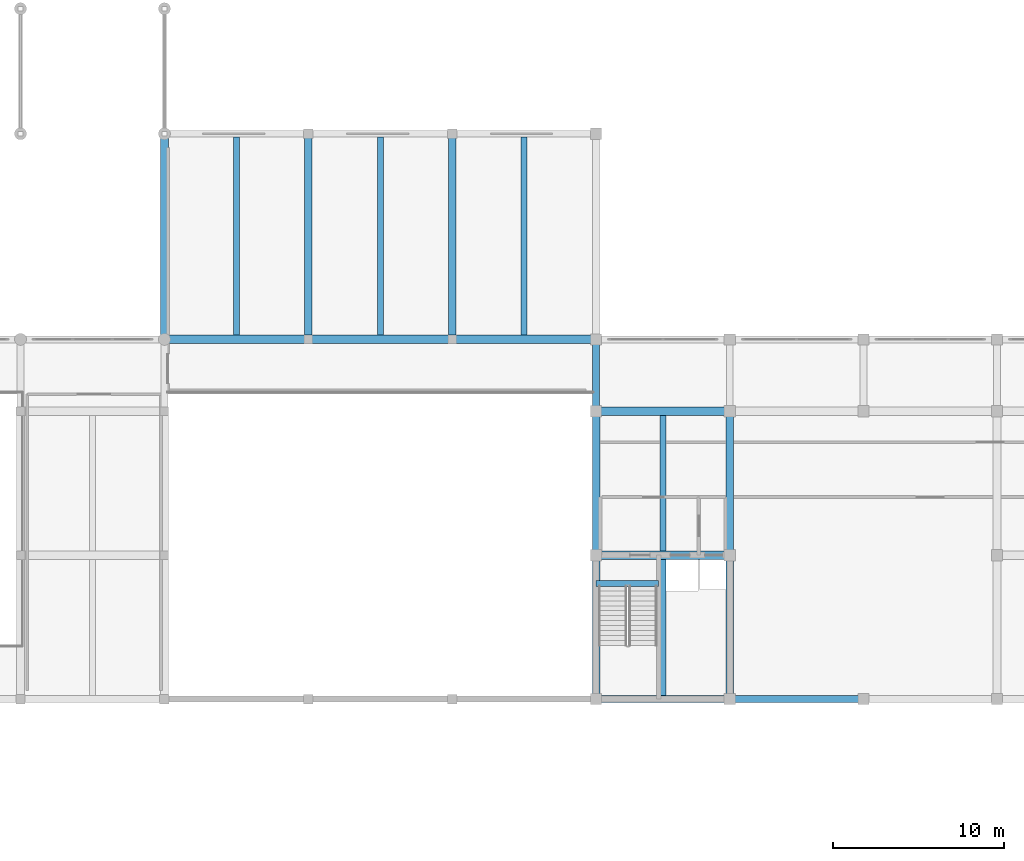
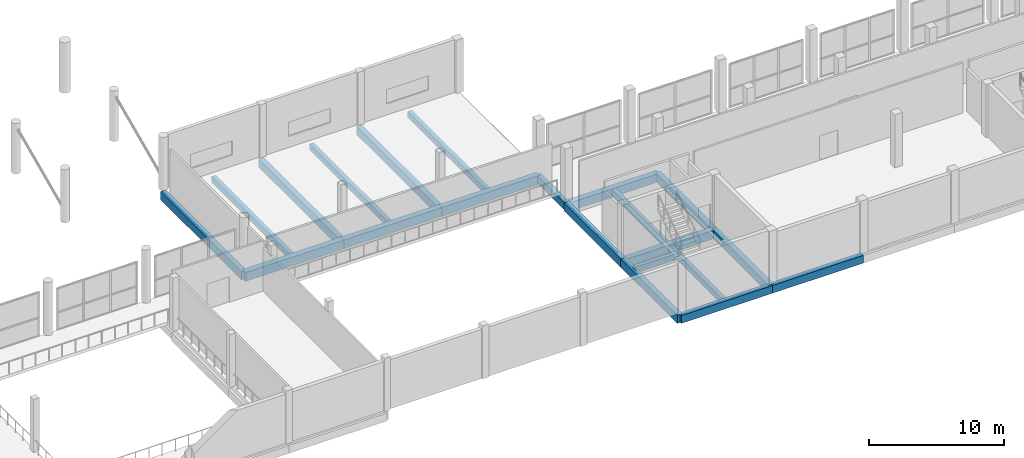
# One storey, part 20 of 47: 21 beams.
"""IFC4 building model written with IfcOpenShell, lengths in metres."""

from ifc_helpers import new_model, si_unit, direction, frame, origin, origin_2d, place, context, subcontext, project, spatial, rectangle, extrude, material, material_profile, profile_set, type_object, element, save


model = new_model("IFC4")

# Units and contexts
model_context = context("Model", 3, precision=1e-05, world=origin(), true_north=direction((0.0, 1.0)))
body_context = subcontext(model_context, "Body", "Model", "MODEL_VIEW")
ifc_project = project(units=[si_unit("LENGTHUNIT", "METRE"), si_unit("AREAUNIT", "SQUARE_METRE"), si_unit("VOLUMEUNIT", "CUBIC_METRE"), si_unit("PLANEANGLEUNIT", "RADIAN"), si_unit("MASSUNIT", "GRAM", prefix="KILO")], contexts=[model_context])

# Site, building, storey
site_placement = place(None, origin())
site = spatial("IfcSite", under=ifc_project, at=site_placement, CompositionType="ELEMENT")
building_placement = place(site_placement, origin())
building = spatial("IfcBuilding", under=site, at=building_placement, Name="Vharandega Faculty of Natural Sciences", CompositionType="ELEMENT")
storey_placement = place(building_placement, frame((0.0, 0.0, 5.39990234375)))
storey = spatial("IfcBuildingStorey", under=building, at=storey_placement, Name="L01", CompositionType="ELEMENT", Elevation=5.39990234375)

# Beams
ifc_material_1 = material(Name="Concrete C40/50", Category="concrete")
ifc_material_profile_1 = material_profile(ifc_material_1, rectangle(XDim=0.39990234375, YDim=0.64990234375, at=origin_2d()), Name="RC 400x650")
ifc_profile_set_1 = profile_set([ifc_material_profile_1], Name="Concrete C40/50")
beam_type_1 = type_object("IfcBeamType", Name="Podium Floor Beam 400x650", PredefinedType="BEAM", material=ifc_profile_set_1)
beam_1_placement = place(storey_placement, frame((114.800048828125, 80.800048828125, -0.60498046875), z_axis=(0.0, 1.0, 0.0), x_axis=(-1.0, 0.0, 0.0)))
element("IfcBeam", 1, at=beam_1_placement, inside=storey, type_object=beam_type_1, Name="Beam L01 15/L-M", PredefinedType="BEAM", context=body_context, shape_type="SweptSolid", body=[
    extrude(rectangle(XDim=0.39990234375, YDim=0.64990234375, at=origin_2d()), origin(), (0.0, 0.0, 1.0), 4.199951171875),
])
ifc_material_2 = material(Name="Concrete C40/50", Category="concrete")
ifc_material_profile_2 = material_profile(ifc_material_2, rectangle(XDim=0.5, YDim=0.800048828125, at=origin_2d()), Name="RC 500x800")
ifc_profile_set_2 = profile_set([ifc_material_profile_2], Name="Concrete C40/50")
beam_type_2 = type_object("IfcBeamType", Name="Podium Heavy Girder 500x800", PredefinedType="BEAM", material=ifc_profile_set_2)
for number, where, z_axis, x_axis, name in (
    (2, (89.60009765625, 85.0, -0.659912109375), (1.0, 0.0, 0.0), (0.0, 1.0, 0.0), "Beam L01 M/12-13"),
    (3, (98.0, 85.0, -0.659912109375), (1.0, 0.0, 0.0), (0.0, 1.0, 0.0), "Beam L01 M/13-14"),
):
    element("IfcBeam", number, at=place(storey_placement, frame(where, z_axis=z_axis, x_axis=x_axis)), inside=storey, type_object=beam_type_2, Name=name, PredefinedType="BEAM", context=body_context, shape_type="SweptSolid", body=[
        extrude(rectangle(XDim=0.5, YDim=0.800048828125, at=origin_2d()), origin(), (0.0, 0.0, 1.0), 8.39990234375),
    ])
beam_2_placement = place(storey_placement, frame((106.39990234375, 85.0, -0.659912109375), z_axis=(1.0, 0.0, 0.0), x_axis=(0.0, 1.0, 0.0)))
element("IfcBeam", 4, at=beam_2_placement, inside=storey, type_object=beam_type_2, Name="Beam L01 M/14-15", PredefinedType="BEAM", context=body_context, shape_type="SweptSolid", body=[
    extrude(rectangle(XDim=0.5, YDim=0.800048828125, at=origin_2d()), origin(), (0.0, 0.0, 1.0), 8.400146484375),
])
ifc_material_3 = material(Name="Concrete C40/50", Category="concrete")
ifc_material_profile_3 = material_profile(ifc_material_3, rectangle(XDim=0.5, YDim=0.75, at=origin_2d()), Name="RC 500x750")
ifc_profile_set_3 = profile_set([ifc_material_profile_3], Name="Concrete C40/50")
beam_type_3 = type_object("IfcBeamType", Name="Podium Primary Beam 500x750", PredefinedType="BEAM", material=ifc_profile_set_3)
for number, where, z_axis, x_axis, name in (
    (5, (114.800048828125, 72.39990234375, -0.65478515625), (1.0, 0.0, 0.0), (0.0, 1.0, 0.0), "Beam L01 K/15-16"),
    (6, (114.800048828125, 80.800048828125, -0.65478515625), (1.0, 0.0, 0.0), (0.0, 1.0, 0.0), "Beam L01 L/15-16"),
):
    element("IfcBeam", number, at=place(storey_placement, frame(where, z_axis=z_axis, x_axis=x_axis)), inside=storey, type_object=beam_type_3, Name=name, PredefinedType="BEAM", context=body_context, shape_type="SweptSolid", body=[
        extrude(rectangle(XDim=0.5, YDim=0.75, at=origin_2d()), origin(), (0.0, 0.0, 1.0), 7.800048828125),
    ])
ifc_material_4 = material(Name="Concrete C40/50", Category="concrete")
ifc_material_profile_4 = material_profile(ifc_material_4, rectangle(XDim=0.35009765625, YDim=0.550048828125, at=origin_2d()), Name="RC 350x550")
ifc_profile_set_4 = profile_set([ifc_material_profile_4], Name="Concrete C40/50")
beam_type_4 = type_object("IfcBeamType", Name="Podium Secondary Beam 350x550", PredefinedType="JOIST", material=ifc_profile_set_4)
for number, where, z_axis, x_axis, name in (
    (7, (93.800048828125, 85.25, -0.534912109375), (0.0, 1.0, 0.0), (-1.0, 0.0, 0.0), "Secondary Joist L01 12-13/M-N"),
    (8, (102.199951171875, 85.25, -0.534912109375), (0.0, 1.0, 0.0), (-1.0, 0.0, 0.0), "Secondary Joist L01 13-14/M-N"),
    (9, (110.60009765625, 85.25, -0.534912109375), (0.0, 1.0, 0.0), (-1.0, 0.0, 0.0), "Secondary Joist L01 14-15/M-N"),
):
    element("IfcBeam", number, at=place(storey_placement, frame(where, z_axis=z_axis, x_axis=x_axis)), inside=storey, type_object=beam_type_4, Name=name, PredefinedType="JOIST", context=body_context, shape_type="SweptSolid", body=[
        extrude(rectangle(XDim=0.35009765625, YDim=0.550048828125, at=origin_2d()), origin(), (0.0, 0.0, 1.0), 11.550048828125),
    ])
beam_3_placement = place(storey_placement, frame((118.699951171875, 64.199951171875, -0.554931640625), z_axis=(0.0, 1.0, 0.0), x_axis=(-1.0, 0.0, 0.0)))
element("IfcBeam", 10, at=beam_3_placement, inside=storey, type_object=beam_type_4, Name="Secondary Joist L01 15-16/J-K", PredefinedType="JOIST", context=body_context, shape_type="SweptSolid", body=[
    extrude(rectangle(XDim=0.35009765625, YDim=0.550048828125, at=origin_2d()), origin(), (0.0, 0.0, 1.0), 7.949951171875),
])
beam_4_placement = place(storey_placement, frame((118.699951171875, 72.64990234375, -0.554931640625), z_axis=(0.0, 1.0, 0.0), x_axis=(-1.0, 0.0, 0.0)))
element("IfcBeam", 11, at=beam_4_placement, inside=storey, type_object=beam_type_4, Name="Secondary Joist L01 15-16/K-L", PredefinedType="JOIST", context=body_context, shape_type="SweptSolid", body=[
    extrude(rectangle(XDim=0.35009765625, YDim=0.550048828125, at=origin_2d()), origin(), (0.0, 0.0, 1.0), 7.900146484375),
])
ifc_material_5 = material(Name="Concrete C40/50", Category="concrete")
ifc_material_profile_5 = material_profile(ifc_material_5, rectangle(XDim=0.39990234375, YDim=0.699951171875, at=origin_2d()), Name="RC 400x700")
ifc_profile_set_5 = profile_set([ifc_material_profile_5], Name="Concrete C40/50")
beam_type_5 = type_object("IfcBeamType", Name="Podium Spandrel Beam 400x700", PredefinedType="SPANDREL", material=ifc_profile_set_5)
beam_5_placement = place(storey_placement, frame((114.800048828125, 64.0, -0.6298828125), z_axis=(1.0, 0.0, 0.0), x_axis=(0.0, 1.0, 0.0)))
element("IfcBeam", 12, at=beam_5_placement, inside=storey, type_object=beam_type_5, Name="Beam L01 J/15-16", PredefinedType="SPANDREL", context=body_context, shape_type="SweptSolid", body=[
    extrude(rectangle(XDim=0.39990234375, YDim=0.699951171875, at=origin_2d()), origin(), (0.0, 0.0, 1.0), 7.800048828125),
])
beam_6_placement = place(storey_placement, frame((122.60009765625, 64.0, -0.6298828125), z_axis=(1.0, 0.0, 0.0), x_axis=(0.0, 1.0, 0.0)))
element("IfcBeam", 13, at=beam_6_placement, inside=storey, type_object=beam_type_5, Name="Beam L01 J/16-17", PredefinedType="SPANDREL", context=body_context, shape_type="SweptSolid", body=[
    extrude(rectangle(XDim=0.39990234375, YDim=0.699951171875, at=origin_2d()), origin(), (0.0, 0.0, 1.0), 7.7998046875),
])
ifc_material_6 = material(Name="Concrete C40/50", Category="concrete")
ifc_material_profile_6 = material_profile(ifc_material_6, rectangle(XDim=0.449951171875, YDim=0.75, at=origin_2d()), Name="RC 450x750")
ifc_profile_set_6 = profile_set([ifc_material_profile_6], Name="Concrete C40/50")
beam_type_6 = type_object("IfcBeamType", Name="Podium Spine Beam 450x750", PredefinedType="BEAM", material=ifc_profile_set_6)
for number, where, z_axis, x_axis, name in (
    (14, (89.60009765625, 85.0, -0.635009765625), (0.0, 1.0, 0.0), (-1.0, 0.0, 0.0), "Beam L01 12/M-N"),
    (15, (98.0, 85.0, -0.635009765625), (0.0, 1.0, 0.0), (-1.0, 0.0, 0.0), "Beam L01 13/M-N"),
    (16, (106.39990234375, 85.0, -0.635009765625), (0.0, 1.0, 0.0), (-1.0, 0.0, 0.0), "Beam L01 14/M-N"),
):
    element("IfcBeam", number, at=place(storey_placement, frame(where, z_axis=z_axis, x_axis=x_axis)), inside=storey, type_object=beam_type_6, Name=name, PredefinedType="BEAM", context=body_context, shape_type="SweptSolid", body=[
        extrude(rectangle(XDim=0.449951171875, YDim=0.75, at=origin_2d()), origin(), (0.0, 0.0, 1.0), 12.0),
    ])
beam_7_placement = place(storey_placement, frame((114.800048828125, 64.0, -0.65478515625), z_axis=(0.0, 1.0, 0.0), x_axis=(-1.0, 0.0, 0.0)))
element("IfcBeam", 17, at=beam_7_placement, inside=storey, type_object=beam_type_6, Name="Beam L01 15/J-K", PredefinedType="BEAM", context=body_context, shape_type="SweptSolid", body=[
    extrude(rectangle(XDim=0.449951171875, YDim=0.75, at=origin_2d()), origin(), (0.0, 0.0, 1.0), 8.39990234375),
])
beam_8_placement = place(storey_placement, frame((114.800048828125, 72.39990234375, -0.65478515625), z_axis=(0.0, 1.0, 0.0), x_axis=(-1.0, 0.0, 0.0)))
element("IfcBeam", 18, at=beam_8_placement, inside=storey, type_object=beam_type_6, Name="Beam L01 15/K-L", PredefinedType="BEAM", context=body_context, shape_type="SweptSolid", body=[
    extrude(rectangle(XDim=0.449951171875, YDim=0.75, at=origin_2d()), origin(), (0.0, 0.0, 1.0), 8.400146484375),
])
beam_9_placement = place(storey_placement, frame((122.60009765625, 64.0, -0.65478515625), z_axis=(0.0, 1.0, 0.0), x_axis=(-1.0, 0.0, 0.0)))
element("IfcBeam", 19, at=beam_9_placement, inside=storey, type_object=beam_type_6, Name="Beam L01 16/J-K", PredefinedType="BEAM", context=body_context, shape_type="SweptSolid", body=[
    extrude(rectangle(XDim=0.449951171875, YDim=0.75, at=origin_2d()), origin(), (0.0, 0.0, 1.0), 8.39990234375),
])
beam_10_placement = place(storey_placement, frame((122.60009765625, 72.39990234375, -0.65478515625), z_axis=(0.0, 1.0, 0.0), x_axis=(-1.0, 0.0, 0.0)))
element("IfcBeam", 20, at=beam_10_placement, inside=storey, type_object=beam_type_6, Name="Beam L01 16/K-L", PredefinedType="BEAM", context=body_context, shape_type="SweptSolid", body=[
    extrude(rectangle(XDim=0.449951171875, YDim=0.75, at=origin_2d()), origin(), (0.0, 0.0, 1.0), 8.400146484375),
])
ifc_material_7 = material(Name="Concrete C40/50", Category="concrete")
ifc_material_profile_7 = material_profile(ifc_material_7, rectangle(XDim=0.35009765625, YDim=0.550048828125, at=origin_2d()), Name="RC 350x550")
ifc_profile_set_7 = profile_set([ifc_material_profile_7], Name="Concrete C40/50")
beam_type_7 = type_object("IfcBeamType", Name="Stair Header Trimmer Beam 350x550", PredefinedType="BEAM", material=ifc_profile_set_7)
beam_11_placement = place(storey_placement, frame((114.800048828125, 70.75, -0.27490234375), z_axis=(1.0, 0.0, 0.0), x_axis=(0.0, 1.0, 0.0)))
element("IfcBeam", 21, at=beam_11_placement, inside=storey, type_object=beam_type_7, Name="Stair Landing Trimmer Beam C1 L01", PredefinedType="BEAM", context=body_context, shape_type="SweptSolid", body=[
    extrude(rectangle(XDim=0.35009765625, YDim=0.550048828125, at=origin_2d()), origin(), (0.0, 0.0, 1.0), 3.639892578125),
])

save(model, "model.ifc")
